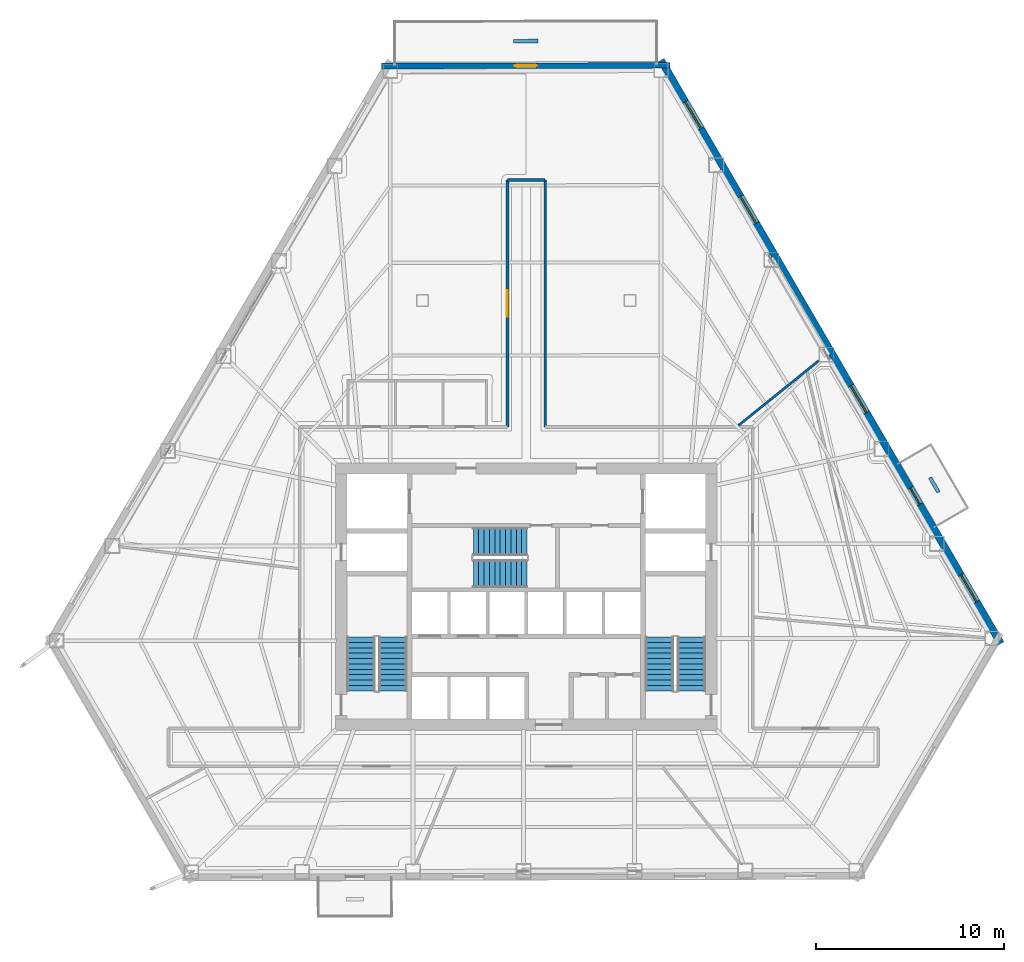
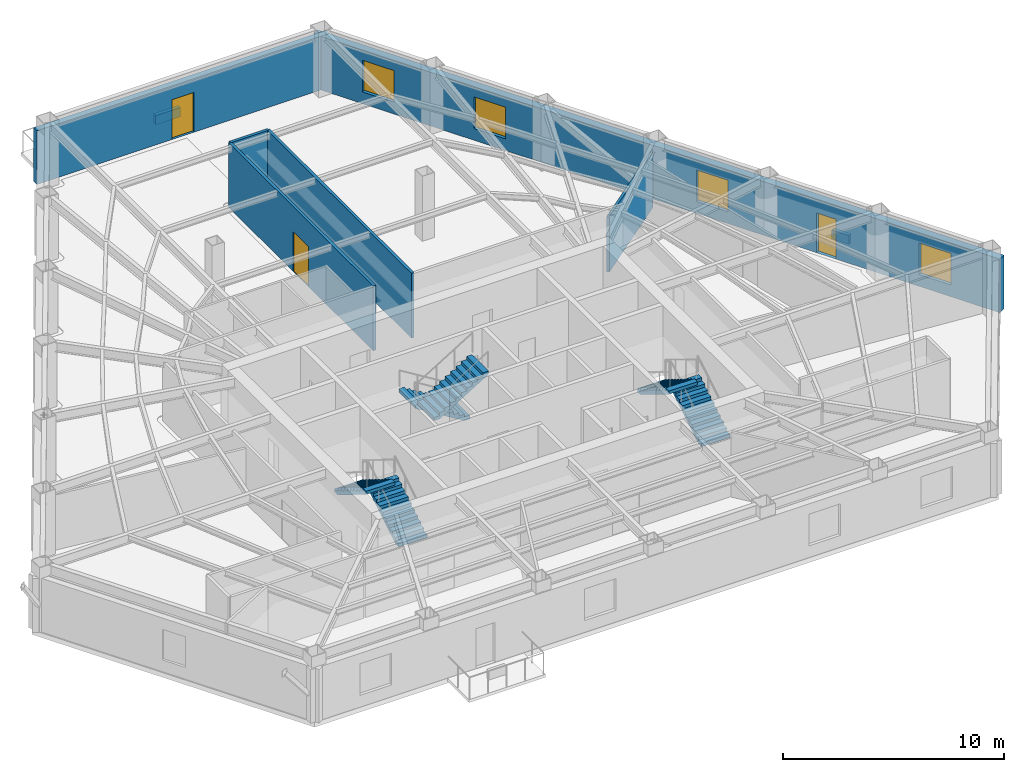
# One storey, part 11 of 15: 8 walls, 6 stair flights, 4 windows, 3 doors, 7 openings, 3 elements without a shape of their own.
"""IFC4 building model written with IfcOpenShell, lengths in metres."""

from ifc_helpers import new_model, si_unit, direction, frame, frame_2d, origin, place, context, subcontext, project, spatial, polyline, rectangle, outline, extrude, material, layer, layer_set, type_object, element, fill, aggregate, save


model = new_model("IFC4")

# Units and contexts
model_context = context("Model", 3, precision=1e-05, world=origin(), true_north=direction((0.0, 1.0)))
body_context = subcontext(model_context, "Body", "Model", "MODEL_VIEW")
ifc_project = project(units=[si_unit("LENGTHUNIT", "METRE"), si_unit("AREAUNIT", "SQUARE_METRE"), si_unit("VOLUMEUNIT", "CUBIC_METRE"), si_unit("PLANEANGLEUNIT", "RADIAN"), si_unit("MASSUNIT", "GRAM", prefix="KILO")], contexts=[model_context])

# Site, building, storey
site_placement = place(None, origin())
site = spatial("IfcSite", under=ifc_project, at=site_placement, CompositionType="ELEMENT")
building_placement = place(site_placement, origin())
building = spatial("IfcBuilding", under=site, at=building_placement, Name="Kavelnor Concourse Tower", CompositionType="ELEMENT")
storey_placement = place(building_placement, frame((0.0, 0.0, 63.75)))
storey = spatial("IfcBuildingStorey", under=building, at=storey_placement, Name="L16", CompositionType="ELEMENT", Elevation=63.75)

# Wall, opening, door
ifc_material_1 = material(Name="Buff ironspot clay face brick masonry", Category="masonry")
ifc_layer_1 = layer(ifc_material_1, 0.300048828125, Name="Buff ironspot clay face brick masonry")
ifc_layer_set_1 = layer_set([ifc_layer_1], Name="Buff ironspot clay face brick masonry")
wall_type_1 = type_object("IfcWallType", Name="WL-EXT-BUFF-BRICK-FOLD-300", PredefinedType="STANDARD", material=ifc_layer_set_1)
wall_1_placement = place(storey_placement, frame((30.30615234375, 44.251220703125, 0.0), z_axis=(0.0, 0.0, 1.0), x_axis=(0.999997107276, 0.002405294262, 0.0)))
wall_1 = element("IfcWall", 1, at=wall_1_placement, inside=storey, type_object=wall_type_1, Name="L16 Exterior Brick Facade Wall E0", PredefinedType="STANDARD", context=body_context, shape_type="SweptSolid", body=[
    extrude(rectangle(XDim=15.32666015625, YDim=0.300048828125, at=frame_2d((7.663330078125, 0.0))), origin(), (0.0, 0.0, 1.0), 2.969970703125),
])
opening_1_placement = place(wall_1_placement, frame((7.08837890625, 0.0, 0.0)))
opening_1 = element("IfcOpeningElement", 2, at=opening_1_placement, cuts=wall_1, Name="Opening TD-115", PredefinedType="OPENING", context=body_context, shape_type="SweptSolid", body=[
    extrude(rectangle(XDim=1.14990234375, YDim=2.199951171875, at=frame_2d((0.574951171875, 1.10009765625))), frame((0.0, 0.16015625, 0.0), z_axis=(0.0, -1.0, 0.0), x_axis=(1.0, 0.0, 0.0)), (0.0, 0.0, 1.0), 0.320068359375),
])
ifc_material_2 = material(Name="Anodised aluminium 6063-T6", Category="aluminium")
door_type_1 = type_object("IfcDoorType", Name="DR-TERRACE-EXT-1150", OperationType="NOTDEFINED", PredefinedType="DOOR", material=ifc_material_2)
door_1_placement = place(opening_1_placement, origin())
door_1 = element("IfcDoor", 3, at=door_1_placement, inside=storey, type_object=door_type_1, Name="L16 Spiral Sky Terrace Access Door", OperationType="SINGLE_SWING_LEFT", OverallHeight=2.199951171875, OverallWidth=1.14990234375, PredefinedType="DOOR", context=body_context, shape_type="SweptSolid", body=[
    extrude(rectangle(XDim=1.14990234375, YDim=2.199951171875, at=frame_2d((0.574951171875, 1.10009765625))), frame((0.0, 0.02490234375, 0.0), z_axis=(0.0, -1.0, 0.0), x_axis=(1.0, 0.0, 0.0)), (0.0, 0.0, 1.0), 0.050048828125),
])
fill(opening_1, door_1)

# Wall, openings, door, windows
ifc_material_3 = material(Name="Red-ochre clay face brick masonry", Category="masonry")
ifc_layer_2 = layer(ifc_material_3, 0.3798828125, Name="Red-ochre clay face brick masonry")
ifc_layer_set_2 = layer_set([ifc_layer_2], Name="Red-ochre clay face brick masonry")
wall_type_2 = type_object("IfcWallType", Name="WL-EXT-RED-BRICK-PIER-380", PredefinedType="STANDARD", material=ifc_layer_set_2)
wall_2_placement = place(storey_placement, frame((45.150146484375, 44.564697265625, 0.0), z_axis=(0.0, 0.0, 1.0), x_axis=(0.503346513102, -0.864084653114, 0.0)))
wall_2 = element("IfcWall", 4, at=wall_2_placement, inside=storey, type_object=wall_type_2, Name="L16 Exterior Brick Facade Wall E5", PredefinedType="STANDARD", context=body_context, shape_type="SweptSolid", body=[
    extrude(rectangle(XDim=35.8349609375, YDim=0.3798828125, at=frame_2d((17.91748046875, 0.0))), origin(), (0.0, 0.0, 1.0), 2.969970703125),
])
opening_2_placement = place(wall_2_placement, frame((26.276123046875, 0.0, 0.0)))
opening_2 = element("IfcOpeningElement", 5, at=opening_2_placement, cuts=wall_2, Name="Opening BD-100", PredefinedType="OPENING", context=body_context, shape_type="SweptSolid", body=[
    extrude(rectangle(XDim=1.0, YDim=2.199951171875, at=frame_2d((0.5, 1.10009765625))), frame((0.0, 0.199951171875, 0.0), z_axis=(0.0, -1.0, 0.0), x_axis=(1.0, 0.0, 0.0)), (0.0, 0.0, 1.0), 0.39990234375),
])
opening_3_placement = place(wall_2_placement, frame((31.623046875, 0.0, 0.64990234375)))
opening_3 = element("IfcOpeningElement", 6, at=opening_3_placement, cuts=wall_2, Name="Opening W-01", PredefinedType="OPENING", context=body_context, shape_type="SweptSolid", body=[
    extrude(rectangle(XDim=1.64990234375, YDim=1.75, at=frame_2d((0.824951171875, 0.875))), frame((0.0, 0.199951171875, 0.0), z_axis=(0.0, -1.0, 0.0), x_axis=(1.0, 0.0, 0.0)), (0.0, 0.0, 1.0), 0.39990234375),
])
opening_4_placement = place(wall_2_placement, frame((19.9970703125, 0.0, 0.64990234375)))
opening_4 = element("IfcOpeningElement", 7, at=opening_4_placement, cuts=wall_2, Name="Opening W-01", PredefinedType="OPENING", context=body_context, shape_type="SweptSolid", body=[
    extrude(rectangle(XDim=1.64990234375, YDim=1.75, at=frame_2d((0.824951171875, 0.875))), frame((0.0, 0.199951171875, 0.0), z_axis=(0.0, -1.0, 0.0), x_axis=(1.0, 0.0, 0.0)), (0.0, 0.0, 1.0), 0.39990234375),
])
opening_5_placement = place(wall_2_placement, frame((8.37109375, 0.0, 0.64990234375)))
opening_5 = element("IfcOpeningElement", 8, at=opening_5_placement, cuts=wall_2, Name="Opening W-01", PredefinedType="OPENING", context=body_context, shape_type="SweptSolid", body=[
    extrude(rectangle(XDim=1.64990234375, YDim=1.75, at=frame_2d((0.824951171875, 0.875))), frame((0.0, 0.199951171875, 0.0), z_axis=(0.0, -1.0, 0.0), x_axis=(1.0, 0.0, 0.0)), (0.0, 0.0, 1.0), 0.39990234375),
])
opening_6_placement = place(wall_2_placement, frame((2.55810546875, 0.0, 0.64990234375)))
opening_6 = element("IfcOpeningElement", 9, at=opening_6_placement, cuts=wall_2, Name="Opening W-01", PredefinedType="OPENING", context=body_context, shape_type="SweptSolid", body=[
    extrude(rectangle(XDim=1.64990234375, YDim=1.75, at=frame_2d((0.824951171875, 0.875))), frame((0.0, 0.199951171875, 0.0), z_axis=(0.0, -1.0, 0.0), x_axis=(1.0, 0.0, 0.0)), (0.0, 0.0, 1.0), 0.39990234375),
])
door_type_2 = type_object("IfcDoorType", Name="DR-BALCONY-EXT-1000", OperationType="NOTDEFINED", PredefinedType="DOOR", material=ifc_material_2)
door_2_placement = place(opening_2_placement, origin())
door_2 = element("IfcDoor", 10, at=door_2_placement, inside=storey, type_object=door_type_2, Name="L16 Tree Balcony 2 Glazed Door", OperationType="SINGLE_SWING_RIGHT", OverallHeight=2.199951171875, OverallWidth=1.0, PredefinedType="DOOR", context=body_context, shape_type="SweptSolid", body=[
    extrude(rectangle(XDim=1.0, YDim=2.199951171875, at=frame_2d((0.5, 1.10009765625))), frame((0.0, 0.02490234375, 0.0), z_axis=(0.0, -1.0, 0.0), x_axis=(1.0, 0.0, 0.0)), (0.0, 0.0, 1.0), 0.050048828125),
])
fill(opening_2, door_2)
ifc_material_4 = material(Name="Double low-E argon insulated glazing", Category="glass")
window_type = type_object("IfcWindowType", Name="WIN-PIER-Z1-1800", PartitioningType="SINGLE_PANEL", PredefinedType="WINDOW", material=ifc_material_4)
window_1_placement = place(opening_3_placement, origin())
window_1 = element("IfcWindow", 11, at=window_1_placement, inside=storey, type_object=window_type, Name="L16 Deep-Set Brick Pier Window F2-B0", OverallHeight=1.75, OverallWidth=1.64990234375, PartitioningType="SINGLE_PANEL", PredefinedType="WINDOW", context=body_context, shape_type="SweptSolid", body=[
    extrude(rectangle(XDim=1.64990234375, YDim=1.75, at=frame_2d((0.824951171875, 0.875))), frame((0.0, 0.030029296875, 0.0), z_axis=(0.0, -1.0, 0.0), x_axis=(1.0, 0.0, 0.0)), (0.0, 0.0, 1.0), 0.06005859375),
])
fill(opening_3, window_1)
window_2_placement = place(opening_4_placement, origin())
window_2 = element("IfcWindow", 12, at=window_2_placement, inside=storey, type_object=window_type, Name="L16 Deep-Set Brick Pier Window F2-B2", OverallHeight=1.75, OverallWidth=1.64990234375, PartitioningType="SINGLE_PANEL", PredefinedType="WINDOW", context=body_context, shape_type="SweptSolid", body=[
    extrude(rectangle(XDim=1.64990234375, YDim=1.75, at=frame_2d((0.824951171875, 0.875))), frame((0.0, 0.030029296875, 0.0), z_axis=(0.0, -1.0, 0.0), x_axis=(1.0, 0.0, 0.0)), (0.0, 0.0, 1.0), 0.06005859375),
])
fill(opening_4, window_2)
window_3_placement = place(opening_5_placement, origin())
window_3 = element("IfcWindow", 13, at=window_3_placement, inside=storey, type_object=window_type, Name="L16 Deep-Set Brick Pier Window F2-B4", OverallHeight=1.75, OverallWidth=1.64990234375, PartitioningType="SINGLE_PANEL", PredefinedType="WINDOW", context=body_context, shape_type="SweptSolid", body=[
    extrude(rectangle(XDim=1.64990234375, YDim=1.75, at=frame_2d((0.824951171875, 0.875))), frame((0.0, 0.030029296875, 0.0), z_axis=(0.0, -1.0, 0.0), x_axis=(1.0, 0.0, 0.0)), (0.0, 0.0, 1.0), 0.06005859375),
])
fill(opening_5, window_3)
window_4_placement = place(opening_6_placement, origin())
window_4 = element("IfcWindow", 14, at=window_4_placement, inside=storey, type_object=window_type, Name="L16 Deep-Set Brick Pier Window F2-B5", OverallHeight=1.75, OverallWidth=1.64990234375, PartitioningType="SINGLE_PANEL", PredefinedType="WINDOW", context=body_context, shape_type="SweptSolid", body=[
    extrude(rectangle(XDim=1.64990234375, YDim=1.75, at=frame_2d((0.824951171875, 0.875))), frame((0.0, 0.030029296875, 0.0), z_axis=(0.0, -1.0, 0.0), x_axis=(1.0, 0.0, 0.0)), (0.0, 0.0, 1.0), 0.06005859375),
])
fill(opening_6, window_4)

# Wall, opening, door
ifc_material_5 = material(Name="Gypsum plasterboard on light-gauge steel studs", Category="steel")
ifc_layer_3 = layer(ifc_material_5, 0.14501953125, Name="Gypsum plasterboard on light-gauge steel studs")
ifc_layer_set_3 = layer_set([ifc_layer_3], Name="Gypsum plasterboard on light-gauge steel studs")
wall_type_3 = type_object("IfcWallType", Name="WL-INT-CORR-145", PredefinedType="PARTITIONING", material=ifc_layer_set_3)
wall_3_placement = place(storey_placement, frame((37.0, 25.10009765625, 0.0), z_axis=(0.0, 0.0, 1.0), x_axis=(0.0, 1.0, 0.0)))
wall_3 = element("IfcWall", 15, at=wall_3_placement, inside=storey, type_object=wall_type_3, Name="L16 Corridor Wall WL-L16-CR-04", PredefinedType="PARTITIONING", context=body_context, shape_type="SweptSolid", body=[
    extrude(rectangle(XDim=13.099853515625, YDim=0.14501953125, at=frame_2d((6.5498046875, 0.0))), origin(), (0.0, 0.0, 1.0), 3.590087890625),
])
opening_7_placement = place(wall_3_placement, frame((5.85009765625, 0.0, 0.0)))
opening_7 = element("IfcOpeningElement", 16, at=opening_7_placement, cuts=wall_3, Name="Opening SD-140", PredefinedType="OPENING", context=body_context, shape_type="SweptSolid", body=[
    extrude(rectangle(XDim=1.39990234375, YDim=2.199951171875, at=frame_2d((0.699951171875, 1.10009765625))), frame((0.0, 0.08251953125, 0.0), z_axis=(0.0, -1.0, 0.0), x_axis=(1.0, 0.0, 0.0)), (0.0, 0.0, 1.0), 0.1650390625),
])
ifc_material_6 = material(Name="Solid-core hardwood timber", Category="wood")
door_type_3 = type_object("IfcDoorType", Name="DR-SUITE-ENTRY-1400", OperationType="NOTDEFINED", PredefinedType="DOOR", material=ifc_material_6)
door_3_placement = place(opening_7_placement, origin())
door_3 = element("IfcDoor", 17, at=door_3_placement, inside=storey, type_object=door_type_3, Name="L16 Client Concierge 03 Door", OperationType="SINGLE_SWING_RIGHT", OverallHeight=2.199951171875, OverallWidth=1.39990234375, PredefinedType="DOOR", context=body_context, shape_type="SweptSolid", body=[
    extrude(rectangle(XDim=1.39990234375, YDim=2.199951171875, at=frame_2d((0.699951171875, 1.10009765625))), frame((0.0, 0.02490234375, 0.0), z_axis=(0.0, -1.0, 0.0), x_axis=(1.0, 0.0, 0.0)), (0.0, 0.0, 1.0), 0.050048828125),
])
fill(opening_7, door_3)

# Walls
wall_4_placement = place(storey_placement, frame((37.0, 38.199951171875, 0.0), z_axis=(0.0, 0.0, 1.0), x_axis=(1.0, 0.0, 0.0)))
element("IfcWall", 18, at=wall_4_placement, inside=storey, type_object=wall_type_3, Name="L16 Corridor Wall WL-L16-CR-05", PredefinedType="PARTITIONING", context=body_context, shape_type="SweptSolid", body=[
    extrude(rectangle(XDim=2.0, YDim=0.14501953125, at=frame_2d((1.0, 0.0))), origin(), (0.0, 0.0, 1.0), 3.590087890625),
])
wall_5_placement = place(storey_placement, frame((39.0, 38.199951171875, 0.0), z_axis=(0.0, 0.0, 1.0), x_axis=(0.0, -1.0, 0.0)))
element("IfcWall", 19, at=wall_5_placement, inside=storey, type_object=wall_type_3, Name="L16 Corridor Wall WL-L16-CR-06", PredefinedType="PARTITIONING", context=body_context, shape_type="SweptSolid", body=[
    extrude(rectangle(XDim=13.099853515625, YDim=0.14501953125, at=frame_2d((6.5498046875, 0.0))), origin(), (0.0, 0.0, 1.0), 3.590087890625),
])
ifc_layer_4 = layer(ifc_material_5, 0.125, Name="Gypsum plasterboard on light-gauge steel studs")
ifc_layer_set_4 = layer_set([ifc_layer_4], Name="Gypsum plasterboard on light-gauge steel studs")
wall_type_4 = type_object("IfcWallType", Name="WL-INT-SUITE-125", PredefinedType="PARTITIONING", material=ifc_layer_set_4)
wall_6_placement = place(storey_placement, frame((49.26171875, 25.180419921875, 0.0), z_axis=(0.0, 0.0, 1.0), x_axis=(0.778476255844, 0.627674054815, 0.0)))
element("IfcWall", 20, at=wall_6_placement, inside=storey, type_object=wall_type_4, Name="L16 Radial Suite Partition 01", PredefinedType="PARTITIONING", context=body_context, shape_type="SweptSolid", body=[
    extrude(rectangle(XDim=5.478515625, YDim=0.125, at=frame_2d((2.7392578125, 0.0))), origin(), (0.0, 0.0, 1.0), 3.056884765625),
])
ifc_material_7 = material(Name="Architectural precast planter concrete C40/50", Category="concrete")
ifc_layer_5 = layer(ifc_material_7, 0.18994140625, Name="Architectural precast planter concrete C40/50")
ifc_layer_set_5 = layer_set([ifc_layer_5], Name="Architectural precast planter concrete C40/50")
wall_type_5 = type_object("IfcWallType", Name="WL-PLANTER-KERB-190", PredefinedType="USERDEFINED", material=ifc_layer_set_5)
wall_7_placement = place(storey_placement, frame((38.6162109375, 45.5810546875, 0.0), z_axis=(0.0, 0.0, 1.0), x_axis=(-0.999997018885, -0.002441765824, 0.0)))
element("IfcWall", 21, at=wall_7_placement, inside=storey, type_object=wall_type_5, Name="L16 Spiral Terrace Landscaped Planter Kerb", ObjectType="PLANTER", PredefinedType="USERDEFINED", context=body_context, shape_type="SweptSolid", body=[
    extrude(rectangle(XDim=1.2998046875, YDim=0.18994140625, at=frame_2d((0.64990234375, 0.0))), origin(), (0.0, 0.0, 1.0), 0.52001953125),
])
wall_8_placement = place(storey_placement, frame((59.87841796875, 21.635498046875, 0.0), z_axis=(0.0, 0.0, 1.0), x_axis=(-0.503483039991, 0.864005109037, 0.0)))
element("IfcWall", 22, at=wall_8_placement, inside=storey, type_object=wall_type_5, Name="L16 Tree Balcony 2 Tree Planter Kerb", ObjectType="PLANTER", PredefinedType="USERDEFINED", context=body_context, shape_type="SweptSolid", body=[
    extrude(rectangle(XDim=0.89990234375, YDim=0.18994140625, at=frame_2d((0.449951171875, 0.0))), origin(), (0.0, 0.0, 1.0), 0.5),
])

# Stair, stair flights
ifc_material_8 = material(Name="Concrete C40/50", Category="concrete")
stair_type = type_object("IfcStairType", Name="STR-CORE-1500", PredefinedType="HALF_TURN_STAIR", material=ifc_material_8)
stair_1_placement = place(storey_placement, origin())
stair_1 = element("IfcStair", 23, at=stair_1_placement, inside=storey, type_object=stair_type, Name="L16 ST1", PredefinedType="HALF_TURN_STAIR")
stair_flight_type = type_object("IfcStairFlightType", Name="STR-FLIGHT-1500", PredefinedType="STRAIGHT", material=ifc_material_8)
stair_flight_1_placement = place(storey_placement, frame((30.929931640625, 11.10009765625, 0.0), z_axis=(0.0, 0.0, 1.0), x_axis=(0.0, 1.0, 0.0)))
stair_flight_1 = element("IfcStairFlight", 24, at=stair_flight_1_placement, type_object=stair_flight_type, Name="ST1 flight 1", NumberOfRisers=11, NumberOfTreads=10, PredefinedType="STRAIGHT", RiserHeight=0.175, TreadLength=0.285, context=body_context, shape_type="SweptSolid", body=[
    extrude(outline(polyline([(0.0, 0.0), (0.0, 0.175048828125), (0.284912109375, 0.175048828125), (0.284912109375, 0.35009765625), (0.570068359375, 0.35009765625), (0.570068359375, 0.52490234375), (0.85498046875, 0.52490234375), (0.85498046875, 0.699951171875), (1.139892578125, 0.699951171875), (1.139892578125, 0.875), (1.425048828125, 0.875), (1.425048828125, 1.050048828125), (1.7099609375, 1.050048828125), (1.7099609375, 1.22509765625), (1.9951171875, 1.22509765625), (1.9951171875, 1.39990234375), (2.280029296875, 1.39990234375), (2.280029296875, 1.574951171875), (2.56494140625, 1.574951171875), (2.56494140625, 1.75), (2.85009765625, 1.75), (2.85009765625, 1.925048828125), (2.85009765625, 1.573974609375), (0.286376953125, 0.0), (0.0, 0.0)])), frame((0.0, 0.75, 0.0), z_axis=(0.0, -1.0, 0.0), x_axis=(1.0, 0.0, 0.0)), (0.0, 0.0, 1.0), 1.5),
])
stair_flight_2_placement = place(storey_placement, frame((29.22998046875, 13.949951171875, 1.925048828125), z_axis=(0.0, 0.0, 1.0), x_axis=(0.0, -1.0, 0.0)))
stair_flight_2 = element("IfcStairFlight", 25, at=stair_flight_2_placement, type_object=stair_flight_type, Name="ST1 flight 2", NumberOfRisers=11, NumberOfTreads=10, PredefinedType="STRAIGHT", RiserHeight=0.175, TreadLength=0.285, context=body_context, shape_type="SweptSolid", body=[
    extrude(outline(polyline([(0.0, 0.0), (0.0, 0.175048828125), (0.284912109375, 0.175048828125), (0.284912109375, 0.35009765625), (0.570068359375, 0.35009765625), (0.570068359375, 0.52490234375), (0.85498046875, 0.52490234375), (0.85498046875, 0.699951171875), (1.139892578125, 0.699951171875), (1.139892578125, 0.875), (1.425048828125, 0.875), (1.425048828125, 1.050048828125), (1.7099609375, 1.050048828125), (1.7099609375, 1.22509765625), (1.9951171875, 1.22509765625), (1.9951171875, 1.39990234375), (2.280029296875, 1.39990234375), (2.280029296875, 1.574951171875), (2.56494140625, 1.574951171875), (2.56494140625, 1.75), (2.85009765625, 1.75), (2.85009765625, 1.925048828125), (2.85009765625, 1.573974609375), (0.286376953125, 0.0), (0.0, 0.0)])), frame((0.0, 0.75, 0.0), z_axis=(0.0, -1.0, 0.0), x_axis=(1.0, 0.0, 0.0)), (0.0, 0.0, 1.0), 1.5),
])
aggregate(stair_1, [stair_flight_1, stair_flight_2])

stair_2_placement = place(storey_placement, origin())
stair_2 = element("IfcStair", 26, at=stair_2_placement, inside=storey, type_object=stair_type, Name="L16 ST2", PredefinedType="HALF_TURN_STAIR")
stair_flight_3_placement = place(storey_placement, frame((46.77001953125, 11.10009765625, 0.0), z_axis=(0.0, 0.0, 1.0), x_axis=(0.0, 1.0, 0.0)))
stair_flight_3 = element("IfcStairFlight", 27, at=stair_flight_3_placement, type_object=stair_flight_type, Name="ST2 flight 1", NumberOfRisers=11, NumberOfTreads=10, PredefinedType="STRAIGHT", RiserHeight=0.175, TreadLength=0.285, context=body_context, shape_type="SweptSolid", body=[
    extrude(outline(polyline([(0.0, 0.0), (0.0, 0.175048828125), (0.284912109375, 0.175048828125), (0.284912109375, 0.35009765625), (0.570068359375, 0.35009765625), (0.570068359375, 0.52490234375), (0.85498046875, 0.52490234375), (0.85498046875, 0.699951171875), (1.139892578125, 0.699951171875), (1.139892578125, 0.875), (1.425048828125, 0.875), (1.425048828125, 1.050048828125), (1.7099609375, 1.050048828125), (1.7099609375, 1.22509765625), (1.9951171875, 1.22509765625), (1.9951171875, 1.39990234375), (2.280029296875, 1.39990234375), (2.280029296875, 1.574951171875), (2.56494140625, 1.574951171875), (2.56494140625, 1.75), (2.85009765625, 1.75), (2.85009765625, 1.925048828125), (2.85009765625, 1.573974609375), (0.286376953125, 0.0), (0.0, 0.0)])), frame((0.0, 0.75, 0.0), z_axis=(0.0, -1.0, 0.0), x_axis=(1.0, 0.0, 0.0)), (0.0, 0.0, 1.0), 1.5),
])
stair_flight_4_placement = place(storey_placement, frame((45.070068359375, 13.949951171875, 1.925048828125), z_axis=(0.0, 0.0, 1.0), x_axis=(0.0, -1.0, 0.0)))
stair_flight_4 = element("IfcStairFlight", 28, at=stair_flight_4_placement, type_object=stair_flight_type, Name="ST2 flight 2", NumberOfRisers=11, NumberOfTreads=10, PredefinedType="STRAIGHT", RiserHeight=0.175, TreadLength=0.285, context=body_context, shape_type="SweptSolid", body=[
    extrude(outline(polyline([(0.0, 0.0), (0.0, 0.175048828125), (0.284912109375, 0.175048828125), (0.284912109375, 0.35009765625), (0.570068359375, 0.35009765625), (0.570068359375, 0.52490234375), (0.85498046875, 0.52490234375), (0.85498046875, 0.699951171875), (1.139892578125, 0.699951171875), (1.139892578125, 0.875), (1.425048828125, 0.875), (1.425048828125, 1.050048828125), (1.7099609375, 1.050048828125), (1.7099609375, 1.22509765625), (1.9951171875, 1.22509765625), (1.9951171875, 1.39990234375), (2.280029296875, 1.39990234375), (2.280029296875, 1.574951171875), (2.56494140625, 1.574951171875), (2.56494140625, 1.75), (2.85009765625, 1.75), (2.85009765625, 1.925048828125), (2.85009765625, 1.573974609375), (0.286376953125, 0.0), (0.0, 0.0)])), frame((0.0, 0.75, 0.0), z_axis=(0.0, -1.0, 0.0), x_axis=(1.0, 0.0, 0.0)), (0.0, 0.0, 1.0), 1.5),
])
aggregate(stair_2, [stair_flight_3, stair_flight_4])

stair_3_placement = place(storey_placement, origin())
stair_3 = element("IfcStair", 29, at=stair_3_placement, inside=storey, type_object=stair_type, Name="L16 ST3", PredefinedType="HALF_TURN_STAIR")
stair_flight_5_placement = place(storey_placement, frame((38.0400390625, 19.010009765625, 0.0), z_axis=(0.0, 0.0, 1.0), x_axis=(-1.0, 0.0, 0.0)))
stair_flight_5 = element("IfcStairFlight", 30, at=stair_flight_5_placement, type_object=stair_flight_type, Name="ST3 flight 1", NumberOfRisers=11, NumberOfTreads=10, PredefinedType="STRAIGHT", RiserHeight=0.175, TreadLength=0.285, context=body_context, shape_type="SweptSolid", body=[
    extrude(outline(polyline([(0.0, 0.0), (0.0, 0.175048828125), (0.284912109375, 0.175048828125), (0.284912109375, 0.35009765625), (0.570068359375, 0.35009765625), (0.570068359375, 0.52490234375), (0.85498046875, 0.52490234375), (0.85498046875, 0.699951171875), (1.139892578125, 0.699951171875), (1.139892578125, 0.875), (1.425048828125, 0.875), (1.425048828125, 1.050048828125), (1.7099609375, 1.050048828125), (1.7099609375, 1.22509765625), (1.9951171875, 1.22509765625), (1.9951171875, 1.39990234375), (2.280029296875, 1.39990234375), (2.280029296875, 1.574951171875), (2.56494140625, 1.574951171875), (2.56494140625, 1.75), (2.85009765625, 1.75), (2.85009765625, 1.925048828125), (2.85009765625, 1.573974609375), (0.286376953125, 0.0), (0.0, 0.0)])), frame((0.0, 0.75, 0.0), z_axis=(0.0, -1.0, 0.0), x_axis=(1.0, 0.0, 0.0)), (0.0, 0.0, 1.0), 1.5),
])
stair_flight_6_placement = place(storey_placement, frame((35.18994140625, 17.31005859375, 1.925048828125), z_axis=(0.0, 0.0, 1.0), x_axis=(1.0, 0.0, 0.0)))
stair_flight_6 = element("IfcStairFlight", 31, at=stair_flight_6_placement, type_object=stair_flight_type, Name="ST3 flight 2", NumberOfRisers=11, NumberOfTreads=10, PredefinedType="STRAIGHT", RiserHeight=0.175, TreadLength=0.285, context=body_context, shape_type="SweptSolid", body=[
    extrude(outline(polyline([(0.0, 0.0), (0.0, 0.175048828125), (0.284912109375, 0.175048828125), (0.284912109375, 0.35009765625), (0.570068359375, 0.35009765625), (0.570068359375, 0.52490234375), (0.85498046875, 0.52490234375), (0.85498046875, 0.699951171875), (1.139892578125, 0.699951171875), (1.139892578125, 0.875), (1.425048828125, 0.875), (1.425048828125, 1.050048828125), (1.7099609375, 1.050048828125), (1.7099609375, 1.22509765625), (1.9951171875, 1.22509765625), (1.9951171875, 1.39990234375), (2.280029296875, 1.39990234375), (2.280029296875, 1.574951171875), (2.56494140625, 1.574951171875), (2.56494140625, 1.75), (2.85009765625, 1.75), (2.85009765625, 1.925048828125), (2.85009765625, 1.573974609375), (0.286376953125, 0.0), (0.0, 0.0)])), frame((0.0, 0.75, 0.0), z_axis=(0.0, -1.0, 0.0), x_axis=(1.0, 0.0, 0.0)), (0.0, 0.0, 1.0), 1.5),
])
aggregate(stair_3, [stair_flight_5, stair_flight_6])

save(model, "model.ifc")
